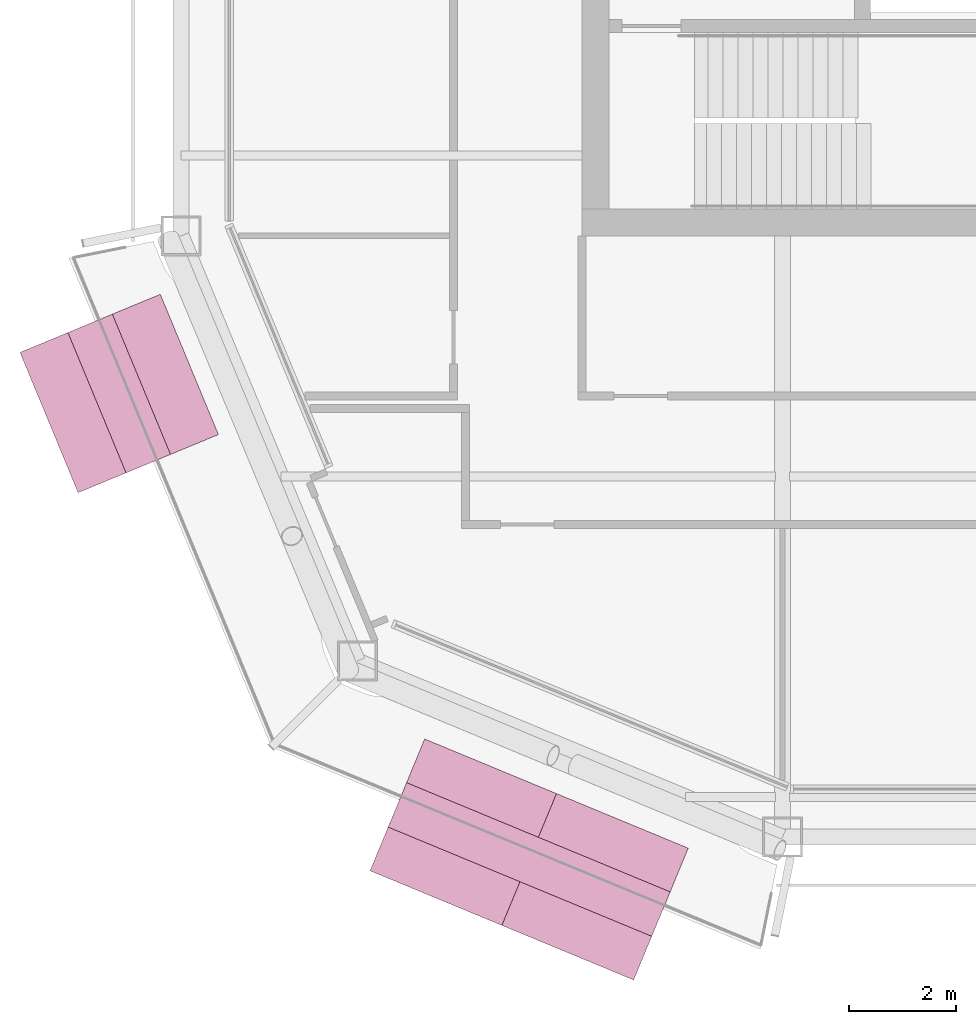
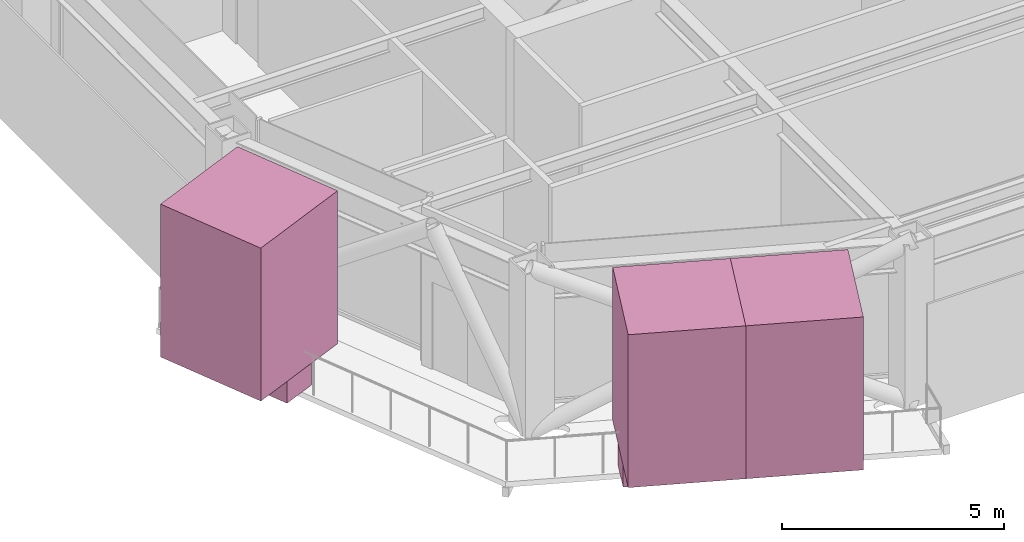
# One storey, part 20 of 20: 5 furnishings.
"""IFC4 building model written with IfcOpenShell, lengths in metres."""

from ifc_helpers import new_model, si_unit, direction, frame, origin, origin_2d, place, context, subcontext, project, spatial, rectangle, extrude, material, type_object, element, save


model = new_model("IFC4")

# Units and contexts
model_context = context("Model", 3, precision=1e-05, world=origin(), true_north=direction((0.0, 1.0)))
body_context = subcontext(model_context, "Body", "Model", "MODEL_VIEW")
ifc_project = project(units=[si_unit("LENGTHUNIT", "METRE"), si_unit("AREAUNIT", "SQUARE_METRE"), si_unit("VOLUMEUNIT", "CUBIC_METRE"), si_unit("PLANEANGLEUNIT", "RADIAN"), si_unit("MASSUNIT", "GRAM", prefix="KILO")], contexts=[model_context])

# Site, building, storey
site_placement = place(None, origin())
site = spatial("IfcSite", under=ifc_project, at=site_placement, CompositionType="ELEMENT")
building_placement = place(site_placement, origin())
building = spatial("IfcBuilding", under=site, at=building_placement, Name="Siwar Civic Tower", CompositionType="ELEMENT")
storey_placement = place(building_placement, frame((0.0, 0.0, 316.699951171875)))
storey = spatial("IfcBuildingStorey", under=building, at=storey_placement, Name="L68", CompositionType="ELEMENT", Elevation=316.699951171875)

# Furnishings
ifc_material_1 = material(Name="Planting soil and foliage")
furnishing_element_type_1 = type_object("IfcFurnishingElementType", Name="ENV-PLANTER", material=ifc_material_1)
furnishing_1_placement = place(storey_placement, frame((-25.909423828125, -16.449951171875, 0.0), z_axis=(0.0, 0.0, 1.0), x_axis=(0.382683432365, -0.923879532511, 0.0)))
element("IfcFurnishingElement", 1, at=furnishing_1_placement, inside=storey, type_object=furnishing_element_type_1, Name="PLANTER SW 1", context=body_context, shape_type="SweptSolid", body=[
    extrude(rectangle(XDim=2.84130859375, YDim=0.89990234375, at=origin_2d()), origin(), (0.0, 0.0, 1.0), 0.60009765625),
])
furnishing_2_placement = place(storey_placement, frame((-18.23974609375, -25.16796875, 0.0), z_axis=(0.0, 0.0, 1.0), x_axis=(0.923879532511, -0.382683432365, 0.0)))
element("IfcFurnishingElement", 2, at=furnishing_2_placement, inside=storey, type_object=furnishing_element_type_1, Name="PLANTER SW 2", context=body_context, shape_type="SweptSolid", body=[
    extrude(rectangle(XDim=5.33837890625, YDim=0.89990234375, at=origin_2d()), origin(), (0.0, 0.0, 1.0), 0.60009765625),
])
ifc_material_2 = material(Name="Planting soil and foliage")
furnishing_element_type_2 = type_object("IfcFurnishingElementType", Name="ENV-TREE", material=ifc_material_2)
furnishing_3_placement = place(storey_placement, frame((-25.909423828125, -16.449951171875, 0.60009765625), z_axis=(0.0, 0.0, 1.0), x_axis=(0.382683432365, -0.923879532511, 0.0)))
element("IfcFurnishingElement", 3, at=furnishing_3_placement, inside=storey, type_object=furnishing_element_type_2, Name="PLANTER (TREE) SW 1.1", context=body_context, shape_type="SweptSolid", body=[
    extrude(rectangle(XDim=2.84130859375, YDim=2.84130859375, at=origin_2d()), origin(), (0.0, 0.0, 1.0), 4.199951171875),
])
for number, where, z_axis, x_axis, name in (
    (4, (-19.472900390625, -24.6572265625, 0.60009765625), (0.0, 0.0, 1.0), (0.923879532511, -0.382683432365, 0.0), "PLANTER (TREE) SW 2.1"),
    (5, (-17.0068359375, -25.6787109375, 0.60009765625), (0.0, 0.0, 1.0), (0.923879532511, -0.382683432365, 0.0), "PLANTER (TREE) SW 2.2"),
):
    element("IfcFurnishingElement", number, at=place(storey_placement, frame(where, z_axis=z_axis, x_axis=x_axis)), inside=storey, type_object=furnishing_element_type_2, Name=name, context=body_context, shape_type="SweptSolid", body=[
        extrude(rectangle(XDim=2.669189453125, YDim=2.669189453125, at=origin_2d()), origin(), (0.0, 0.0, 1.0), 4.199951171875),
    ])

save(model, "model.ifc")
